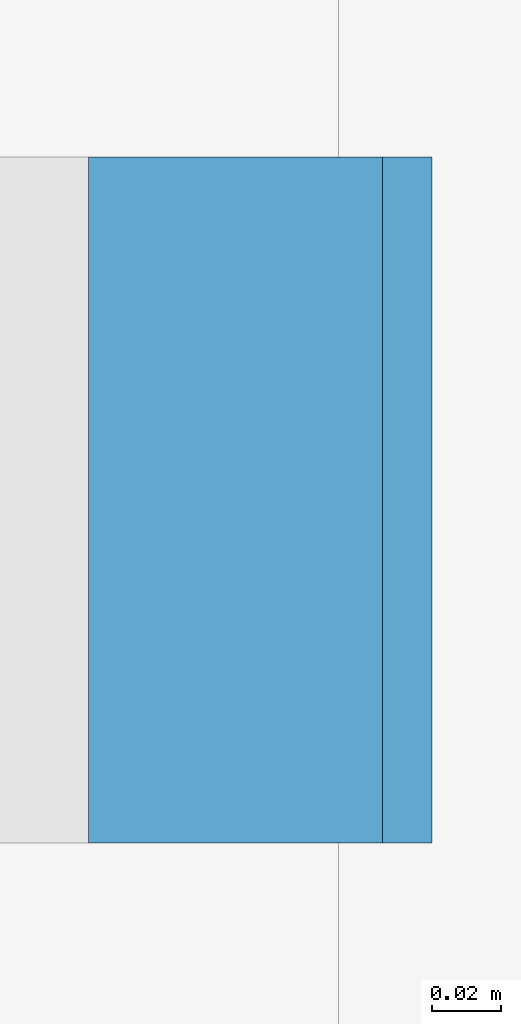
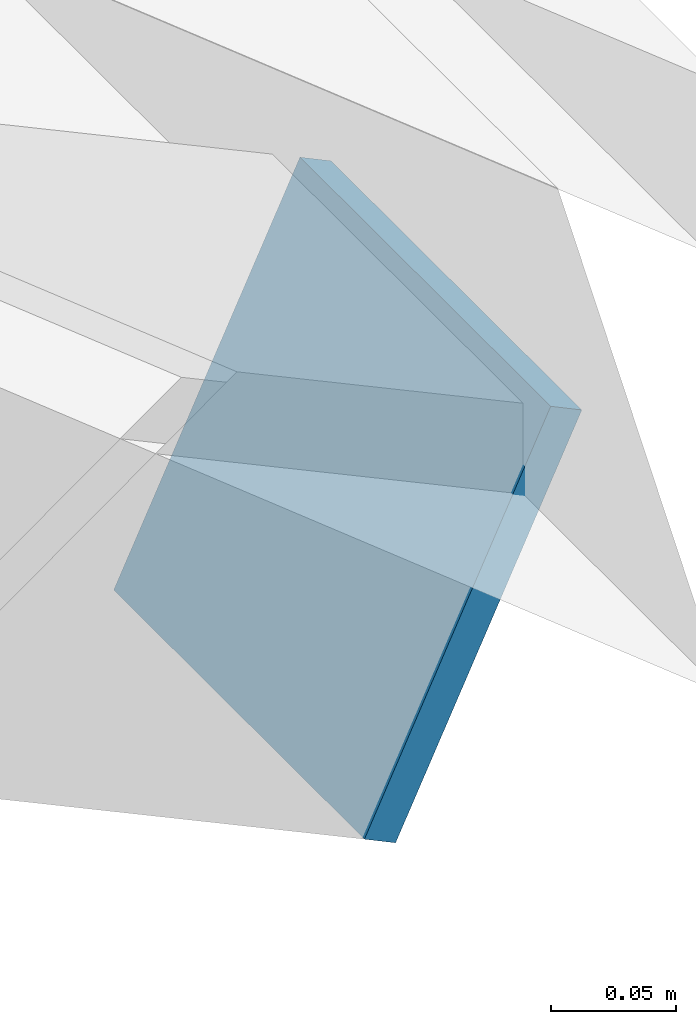
# One storey, part 133 of 154: 1 discrete accessory.
"""IFC4 building model written with IfcOpenShell, lengths in metres."""

from ifc_helpers import new_model, si_unit, direction, frame, origin, origin_2d, place, context, subcontext, project, spatial, rectangle, extrude, material, material_profile, profile_set, type_object, element, save


model = new_model("IFC4")

# Units and contexts
model_context = context("Model", 3, precision=1e-05, world=origin(), true_north=direction((0.0, 1.0)))
body_context = subcontext(model_context, "Body", "Model", "MODEL_VIEW")
ifc_project = project(units=[si_unit("LENGTHUNIT", "METRE"), si_unit("AREAUNIT", "SQUARE_METRE"), si_unit("VOLUMEUNIT", "CUBIC_METRE"), si_unit("PLANEANGLEUNIT", "RADIAN"), si_unit("MASSUNIT", "GRAM", prefix="KILO")], contexts=[model_context])

# Site, building, storey
site_placement = place(None, origin())
site = spatial("IfcSite", under=ifc_project, at=site_placement, CompositionType="ELEMENT")
building_placement = place(site_placement, origin())
building = spatial("IfcBuilding", under=site, at=building_placement, Name="Golden Quay Civic Hall", CompositionType="ELEMENT")
storey_placement = place(building_placement, frame((0.0, 0.0, 14.39990234375)))
storey = spatial("IfcBuildingStorey", under=building, at=storey_placement, Name="L03", CompositionType="ELEMENT", Elevation=14.39990234375)

# Discrete accessory
ifc_material = material(Name="Steel S355", Category="steel")
ifc_material_profile = material_profile(ifc_material, rectangle(XDim=0.199951171875, YDim=0.199951171875, at=origin_2d()), Name="Steel end cap plate 200x200x16")
ifc_profile_set = profile_set([ifc_material_profile], Name="Steel S355")
discrete_accessory_type = type_object("IfcDiscreteAccessoryType", Name="Steel end cap plate 200x200x16", PredefinedType="BRACKET", material=ifc_profile_set)
discrete_accessory_placement = place(storey_placement, frame((173.300048828125, 83.25, -0.56787109375), z_axis=(0.90342581024, 0.0, -0.428744452317), x_axis=(0.0, 1.0, 0.0)))
element("IfcDiscreteAccessory", 1, at=discrete_accessory_placement, inside=storey, type_object=discrete_accessory_type, Name="End cap jack rafter east 9", PredefinedType="BRACKET", context=body_context, shape_type="SweptSolid", body=[
    extrude(rectangle(XDim=0.199951171875, YDim=0.199951171875, at=origin_2d()), origin(), (0.0, 0.0, 1.0), 0.015869140625),
])

save(model, "model.ifc")
